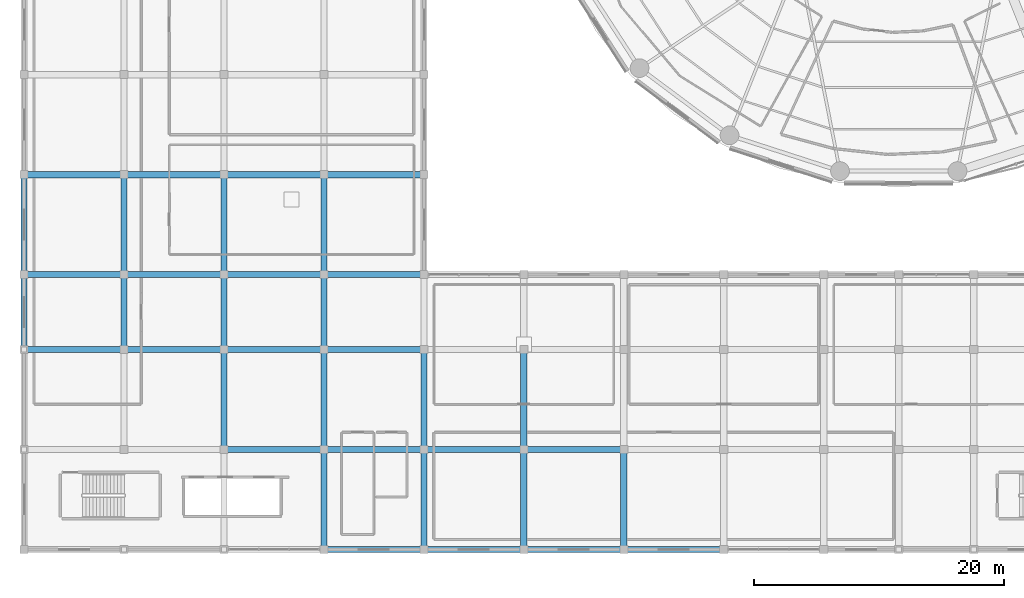
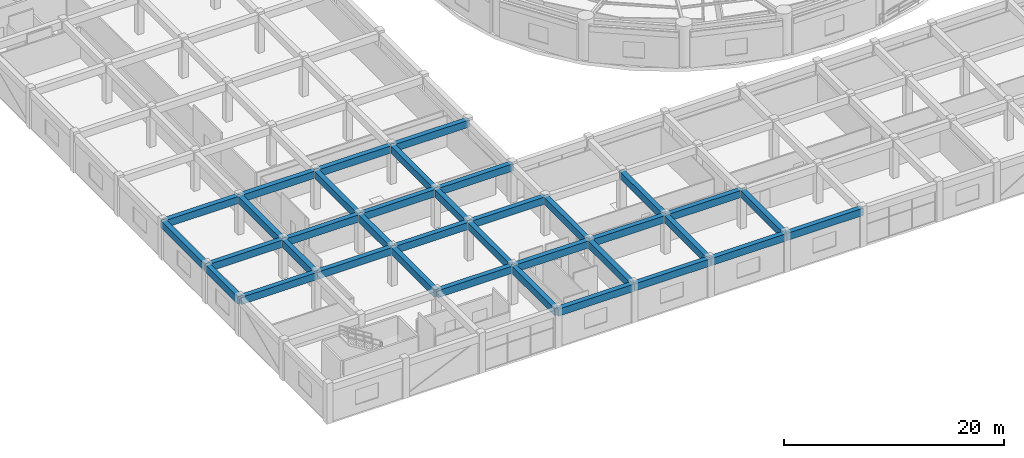
# One storey, part 7 of 52: 36 beams.
"""IFC4 building model written with IfcOpenShell, lengths in metres."""

from ifc_helpers import new_model, si_unit, direction, frame, origin, origin_2d, place, context, subcontext, project, spatial, rectangle, extrude, material, material_profile, profile_set, type_object, element, save


model = new_model("IFC4")

# Units and contexts
model_context = context("Model", 3, precision=1e-05, world=origin(), true_north=direction((0.0, 1.0)))
body_context = subcontext(model_context, "Body", "Model", "MODEL_VIEW")
ifc_project = project(units=[si_unit("LENGTHUNIT", "METRE"), si_unit("AREAUNIT", "SQUARE_METRE"), si_unit("VOLUMEUNIT", "CUBIC_METRE"), si_unit("PLANEANGLEUNIT", "RADIAN"), si_unit("MASSUNIT", "GRAM", prefix="KILO")], contexts=[model_context])

# Site, building, storey
site_placement = place(None, origin())
site = spatial("IfcSite", under=ifc_project, at=site_placement, CompositionType="ELEMENT")
building_placement = place(site_placement, origin())
building = spatial("IfcBuilding", under=site, at=building_placement, Name="Kelanora Arch Commons", CompositionType="ELEMENT")
storey_placement = place(building_placement, frame((0.0, 0.0, 13.5)))
storey = spatial("IfcBuildingStorey", under=building, at=storey_placement, Name="L03", CompositionType="ELEMENT", Elevation=13.5)

# Beams
ifc_material = material(Name="Concrete C40/50", Category="concrete")
ifc_material_profile = material_profile(ifc_material, rectangle(XDim=0.5, YDim=0.800048828125, at=origin_2d()), Name="RCB500x800")
ifc_profile_set = profile_set([ifc_material_profile], Name="Concrete C40/50")
beam_type = type_object("IfcBeamType", Name="BM-MKT-RC1", PredefinedType="BEAM", material=ifc_profile_set)
beam_1_placement = place(storey_placement, frame((4.0, 20.0, 3.840087890625), z_axis=(1.0, 0.0, 0.0), x_axis=(0.0, 1.0, 0.0)))
element("IfcBeam", 1, at=beam_1_placement, inside=storey, type_object=beam_type, Name="Market/Basement Frame Beam 005 L03", PredefinedType="BEAM", context=body_context, shape_type="SweptSolid", body=[
    extrude(rectangle(XDim=0.5, YDim=0.800048828125, at=origin_2d()), origin(), (0.0, 0.0, 1.0), 8.0),
])
beam_2_placement = place(storey_placement, frame((4.0, 20.0, 3.840087890625), z_axis=(0.0, 1.0, 0.0), x_axis=(-1.0, 0.0, 0.0)))
element("IfcBeam", 2, at=beam_2_placement, inside=storey, type_object=beam_type, Name="Market/Basement Frame Beam 006 L03", PredefinedType="BEAM", context=body_context, shape_type="SweptSolid", body=[
    extrude(rectangle(XDim=0.5, YDim=0.800048828125, at=origin_2d()), origin(), (0.0, 0.0, 1.0), 6.0),
])
for number, where, z_axis, x_axis, name in (
    (3, (4.0, 26.0, 3.840087890625), (1.0, 0.0, 0.0), (0.0, 1.0, 0.0), "Market/Basement Frame Beam 007 L03"),
    (4, (4.0, 26.0, 3.840087890625), (0.0, 1.0, 0.0), (-1.0, 0.0, 0.0), "Market/Basement Frame Beam 008 L03"),
    (5, (4.0, 34.0, 3.840087890625), (1.0, 0.0, 0.0), (0.0, 1.0, 0.0), "Market/Basement Frame Beam 009 L03"),
    (6, (12.0, 20.0, 3.840087890625), (1.0, 0.0, 0.0), (0.0, 1.0, 0.0), "Market/Basement Frame Beam 024 L03"),
):
    element("IfcBeam", number, at=place(storey_placement, frame(where, z_axis=z_axis, x_axis=x_axis)), inside=storey, type_object=beam_type, Name=name, PredefinedType="BEAM", context=body_context, shape_type="SweptSolid", body=[
        extrude(rectangle(XDim=0.5, YDim=0.800048828125, at=origin_2d()), origin(), (0.0, 0.0, 1.0), 8.0),
    ])
beam_3_placement = place(storey_placement, frame((12.0, 20.0, 3.840087890625), z_axis=(0.0, 1.0, 0.0), x_axis=(-1.0, 0.0, 0.0)))
element("IfcBeam", 7, at=beam_3_placement, inside=storey, type_object=beam_type, Name="Market/Basement Frame Beam 025 L03", PredefinedType="BEAM", context=body_context, shape_type="SweptSolid", body=[
    extrude(rectangle(XDim=0.5, YDim=0.800048828125, at=origin_2d()), origin(), (0.0, 0.0, 1.0), 6.0),
])
for number, where, z_axis, x_axis, name in (
    (8, (12.0, 26.0, 3.840087890625), (1.0, 0.0, 0.0), (0.0, 1.0, 0.0), "Market/Basement Frame Beam 026 L03"),
    (9, (12.0, 26.0, 3.840087890625), (0.0, 1.0, 0.0), (-1.0, 0.0, 0.0), "Market/Basement Frame Beam 027 L03"),
    (10, (12.0, 34.0, 3.840087890625), (1.0, 0.0, 0.0), (0.0, 1.0, 0.0), "Market/Basement Frame Beam 028 L03"),
    (11, (20.0, 12.0, 3.840087890625), (1.0, 0.0, 0.0), (0.0, 1.0, 0.0), "Market/Basement Frame Beam 040 L03"),
    (12, (20.0, 12.0, 3.840087890625), (0.0, 1.0, 0.0), (-1.0, 0.0, 0.0), "Market/Basement Frame Beam 041 L03"),
    (13, (20.0, 20.0, 3.840087890625), (1.0, 0.0, 0.0), (0.0, 1.0, 0.0), "Market/Basement Frame Beam 042 L03"),
):
    element("IfcBeam", number, at=place(storey_placement, frame(where, z_axis=z_axis, x_axis=x_axis)), inside=storey, type_object=beam_type, Name=name, PredefinedType="BEAM", context=body_context, shape_type="SweptSolid", body=[
        extrude(rectangle(XDim=0.5, YDim=0.800048828125, at=origin_2d()), origin(), (0.0, 0.0, 1.0), 8.0),
    ])
beam_4_placement = place(storey_placement, frame((20.0, 20.0, 3.840087890625), z_axis=(0.0, 1.0, 0.0), x_axis=(-1.0, 0.0, 0.0)))
element("IfcBeam", 14, at=beam_4_placement, inside=storey, type_object=beam_type, Name="Market/Basement Frame Beam 043 L03", PredefinedType="BEAM", context=body_context, shape_type="SweptSolid", body=[
    extrude(rectangle(XDim=0.5, YDim=0.800048828125, at=origin_2d()), origin(), (0.0, 0.0, 1.0), 6.0),
])
for number, where, z_axis, x_axis, name in (
    (15, (20.0, 26.0, 3.840087890625), (1.0, 0.0, 0.0), (0.0, 1.0, 0.0), "Market/Basement Frame Beam 044 L03"),
    (16, (20.0, 26.0, 3.840087890625), (0.0, 1.0, 0.0), (-1.0, 0.0, 0.0), "Market/Basement Frame Beam 045 L03"),
    (17, (20.0, 34.0, 3.840087890625), (1.0, 0.0, 0.0), (0.0, 1.0, 0.0), "Market/Basement Frame Beam 046 L03"),
    (18, (28.0, 4.0, 3.840087890625), (1.0, 0.0, 0.0), (0.0, 1.0, 0.0), "Market/Basement Frame Beam 059 L03"),
    (19, (28.0, 4.0, 3.840087890625), (0.0, 1.0, 0.0), (-1.0, 0.0, 0.0), "Market/Basement Frame Beam 060 L03"),
    (20, (28.0, 12.0, 3.840087890625), (1.0, 0.0, 0.0), (0.0, 1.0, 0.0), "Market/Basement Frame Beam 061 L03"),
    (21, (28.0, 12.0, 3.840087890625), (0.0, 1.0, 0.0), (-1.0, 0.0, 0.0), "Market/Basement Frame Beam 062 L03"),
    (22, (28.0, 20.0, 3.840087890625), (1.0, 0.0, 0.0), (0.0, 1.0, 0.0), "Market/Basement Frame Beam 063 L03"),
):
    element("IfcBeam", number, at=place(storey_placement, frame(where, z_axis=z_axis, x_axis=x_axis)), inside=storey, type_object=beam_type, Name=name, PredefinedType="BEAM", context=body_context, shape_type="SweptSolid", body=[
        extrude(rectangle(XDim=0.5, YDim=0.800048828125, at=origin_2d()), origin(), (0.0, 0.0, 1.0), 8.0),
    ])
beam_5_placement = place(storey_placement, frame((28.0, 20.0, 3.840087890625), z_axis=(0.0, 1.0, 0.0), x_axis=(-1.0, 0.0, 0.0)))
element("IfcBeam", 23, at=beam_5_placement, inside=storey, type_object=beam_type, Name="Market/Basement Frame Beam 064 L03", PredefinedType="BEAM", context=body_context, shape_type="SweptSolid", body=[
    extrude(rectangle(XDim=0.5, YDim=0.800048828125, at=origin_2d()), origin(), (0.0, 0.0, 1.0), 6.0),
])
for number, where, z_axis, x_axis, name in (
    (24, (28.0, 26.0, 3.840087890625), (1.0, 0.0, 0.0), (0.0, 1.0, 0.0), "Market/Basement Frame Beam 065 L03"),
    (25, (28.0, 26.0, 3.840087890625), (0.0, 1.0, 0.0), (-1.0, 0.0, 0.0), "Market/Basement Frame Beam 066 L03"),
    (26, (28.0, 34.0, 3.840087890625), (1.0, 0.0, 0.0), (0.0, 1.0, 0.0), "Market/Basement Frame Beam 067 L03"),
    (27, (36.0, 4.0, 3.840087890625), (1.0, 0.0, 0.0), (0.0, 1.0, 0.0), "Market/Basement Frame Beam 080 L03"),
    (28, (36.0, 4.0, 3.840087890625), (0.0, 1.0, 0.0), (-1.0, 0.0, 0.0), "Market/Basement Frame Beam 081 L03"),
    (29, (36.0, 12.0, 3.840087890625), (1.0, 0.0, 0.0), (0.0, 1.0, 0.0), "Market/Basement Frame Beam 082 L03"),
    (30, (36.0, 12.0, 3.840087890625), (0.0, 1.0, 0.0), (-1.0, 0.0, 0.0), "Market/Basement Frame Beam 083 L03"),
    (31, (44.0, 4.0, 3.840087890625), (1.0, 0.0, 0.0), (0.0, 1.0, 0.0), "Market/Basement Frame Beam 094 L03"),
    (32, (44.0, 4.0, 3.840087890625), (0.0, 1.0, 0.0), (-1.0, 0.0, 0.0), "Market/Basement Frame Beam 095 L03"),
    (33, (44.0, 12.0, 3.840087890625), (1.0, 0.0, 0.0), (0.0, 1.0, 0.0), "Market/Basement Frame Beam 096 L03"),
    (34, (44.0, 12.0, 3.840087890625), (0.0, 1.0, 0.0), (-1.0, 0.0, 0.0), "Market/Basement Frame Beam 097 L03"),
    (35, (52.0, 4.0, 3.840087890625), (1.0, 0.0, 0.0), (0.0, 1.0, 0.0), "Market/Basement Frame Beam 101 L03"),
    (36, (52.0, 4.0, 3.840087890625), (0.0, 1.0, 0.0), (-1.0, 0.0, 0.0), "Market/Basement Frame Beam 102 L03"),
):
    element("IfcBeam", number, at=place(storey_placement, frame(where, z_axis=z_axis, x_axis=x_axis)), inside=storey, type_object=beam_type, Name=name, PredefinedType="BEAM", context=body_context, shape_type="SweptSolid", body=[
        extrude(rectangle(XDim=0.5, YDim=0.800048828125, at=origin_2d()), origin(), (0.0, 0.0, 1.0), 8.0),
    ])

save(model, "model.ifc")
